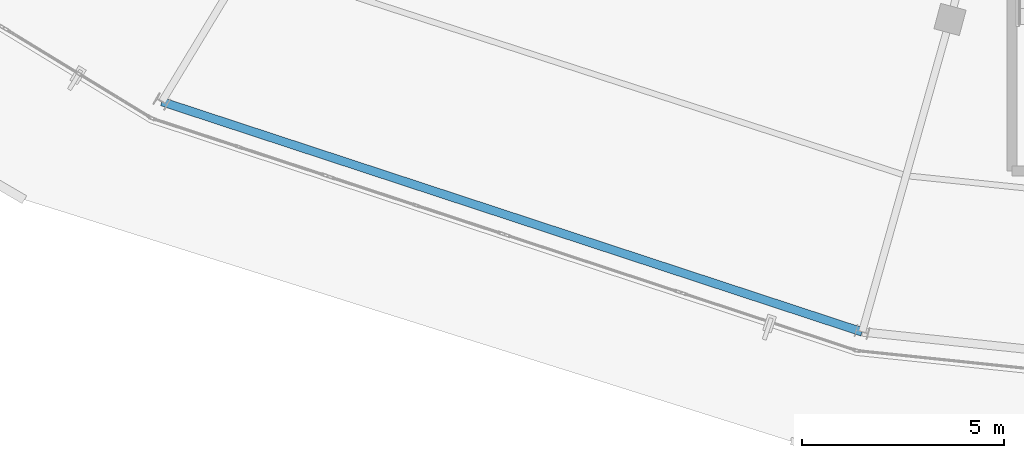
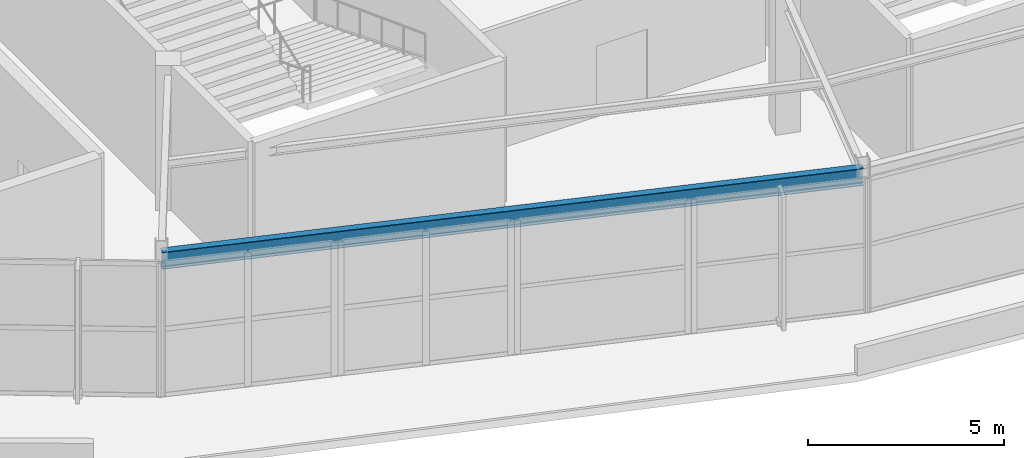
# One storey, part 19 of 126: 1 beam.
"""IFC4 building model written with IfcOpenShell, lengths in metres."""

from ifc_helpers import new_model, si_unit, direction, frame, origin, origin_2d, place, context, subcontext, project, spatial, i_section, extrude, material, material_profile, profile_set, type_object, element, save


model = new_model("IFC4")

# Units and contexts
model_context = context("Model", 3, precision=1e-05, world=origin(), true_north=direction((0.0, 1.0)))
body_context = subcontext(model_context, "Body", "Model", "MODEL_VIEW")
ifc_project = project(units=[si_unit("LENGTHUNIT", "METRE"), si_unit("AREAUNIT", "SQUARE_METRE"), si_unit("VOLUMEUNIT", "CUBIC_METRE"), si_unit("PLANEANGLEUNIT", "RADIAN"), si_unit("MASSUNIT", "GRAM", prefix="KILO")], contexts=[model_context])

# Site, building, storey
site_placement = place(None, origin())
site = spatial("IfcSite", under=ifc_project, at=site_placement, CompositionType="ELEMENT")
building_placement = place(site_placement, origin())
building = spatial("IfcBuilding", under=site, at=building_placement, Name="Kalgoora Escarpment Arena", CompositionType="ELEMENT")
storey_placement = place(building_placement, frame((0.0, 0.0, 18.89990234375)))
storey = spatial("IfcBuildingStorey", under=building, at=storey_placement, Name="L04", CompositionType="ELEMENT", Elevation=18.89990234375)

# Beam
ifc_material = material(Name="Structural steel AS/NZS 3679 (300 MPa)", Category="steel")
ifc_material_profile = material_profile(ifc_material, i_section(OverallWidth=0.208984375, OverallDepth=0.532958984375, WebThickness=0.01025390625, FlangeThickness=0.015625, at=origin_2d()))
ifc_profile_set = profile_set([ifc_material_profile], Name="Structural steel AS/NZS 3679 (300 MPa)")
beam_type = type_object("IfcBeamType", Name="BM-SPANDREL-530UB92.4", PredefinedType="SPANDREL", material=ifc_profile_set)
beam_placement = place(storey_placement, frame((56.5, 14.63671875, 3.943603515625), z_axis=(0.949954555117, -0.312388129115, 0.0), x_axis=(0.312388129115, 0.949954555117, 0.0)))
element("IfcBeam", 1, at=beam_placement, inside=storey, type_object=beam_type, Name="L04 Circumferential concourse girder RCONC2 530UB92.4", PredefinedType="SPANDREL", context=body_context, shape_type="SweptSolid", body=[
    extrude(i_section(OverallWidth=0.208984375, OverallDepth=0.532958984375, WebThickness=0.01025390625, FlangeThickness=0.015625, at=origin_2d()), origin(), (0.0, 0.0, 1.0), 18.229248046875),
])

save(model, "model.ifc")
